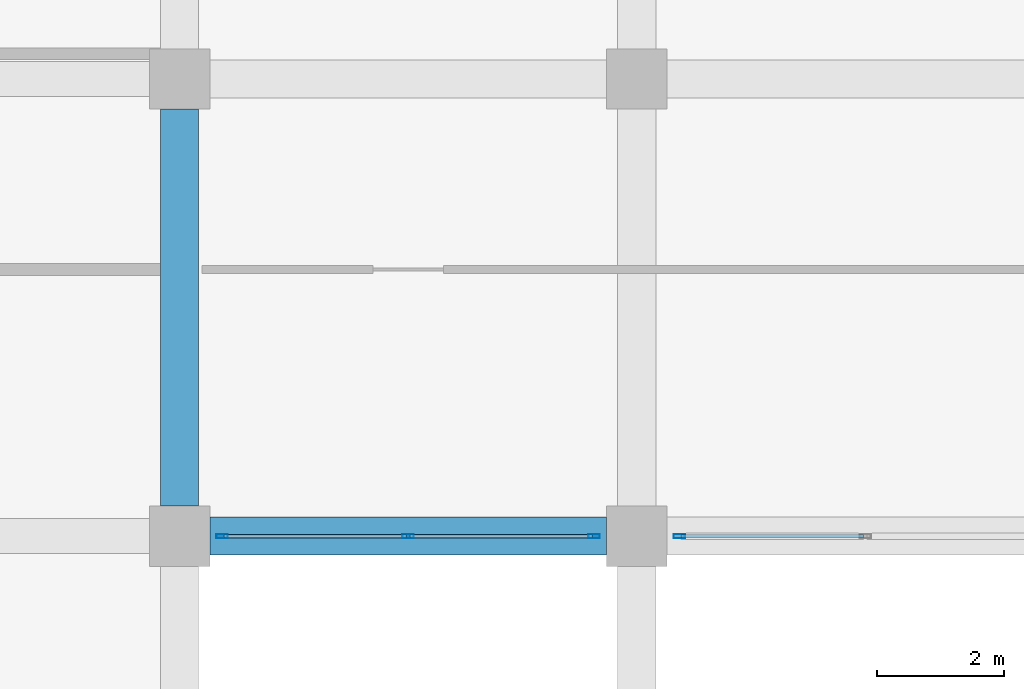
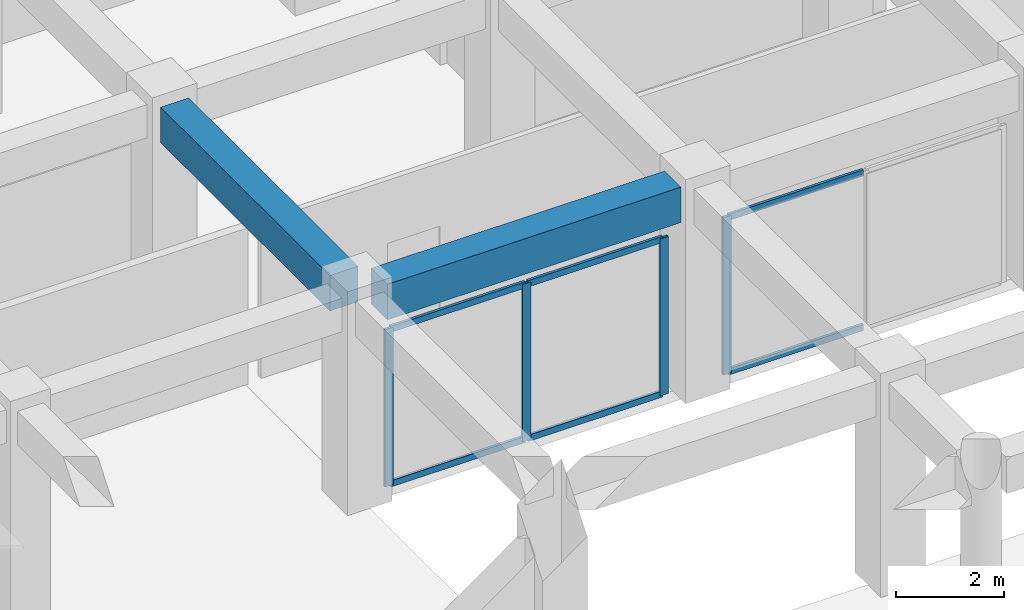
# One storey, part 4 of 54: 10 members, 2 beams, 2 elements without a shape of their own.
"""IFC4 building model written with IfcOpenShell, lengths in metres."""

import ifcopenshell
import ifcopenshell.guid

model = None  # the IFC model being written
_history = None  # IfcOwnerHistory: only IFC2X3 demands one
_inside = {}  # id of a spatial element -> (the spatial element, [elements in it])
_under = {}  # id of a project, library or spatial element -> (it, [spatial elements below it])
_declared = {}  # id of a project -> (the project, [libraries it declares])
_typed = {}  # id of a type object -> (the type object, [elements of that type])
_made_of = {}  # id of a material, layer set ... -> (it, [elements and type objects made of it])


def new_model(schema):
    """Start an empty IFC model of exactly this schema.

    Asked for "IFC4X3", IfcOpenShell would pick the latest addendum, in which some entities
    have other attributes; the version numbers below select the first issue.
    IFC2X3 requires an IfcOwnerHistory on every rooted entity: one is made here for all.
    """
    global model, _history
    if schema == "IFC4X3":
        model = ifcopenshell.file(schema_version=(4, 3, 0, 0))
    else:
        model = ifcopenshell.file(schema=schema)
    _inside.clear()
    _under.clear()
    _declared.clear()
    _typed.clear()
    _made_of.clear()
    _history = None
    if model.schema == "IFC2X3":
        org = make("IfcOrganization", Name="unknown")
        user = make(
            "IfcPersonAndOrganization",
            ThePerson=make("IfcPerson", FamilyName="unknown"),
            TheOrganization=org,
        )
        app = make(
            "IfcApplication",
            ApplicationDeveloper=org,
            Version="unknown",
            ApplicationFullName="unknown",
            ApplicationIdentifier="unknown",
        )
        _history = make(
            "IfcOwnerHistory",
            OwningUser=user,
            OwningApplication=app,
            ChangeAction="ADDED",
            CreationDate=0,
        )
    return model


def make(cls, **values):
    """One entity of the class cls with the attributes given. An attribute that is None is left unset."""
    return model.create_entity(
        cls, **{name: value for name, value in values.items() if value is not None}
    )


def rooted(cls, **values):
    """An entity with a GlobalId (a new one), such as an element, a storey or a relation."""
    return make(cls, GlobalId=ifcopenshell.guid.new(), OwnerHistory=_history, **values)


def si_unit(unit_type, name, prefix=None):
    """IfcSIUnit, for example si_unit("LENGTHUNIT", "METRE", prefix="MILLI")."""
    return make("IfcSIUnit", UnitType=unit_type, Prefix=prefix, Name=name)


def assignment(units):
    """IfcUnitAssignment: the units of a project."""
    return None if units is None else make("IfcUnitAssignment", Units=units)


def point(xyz):
    """IfcCartesianPoint."""
    return None if xyz is None else make("IfcCartesianPoint", Coordinates=xyz)


def direction(xyz):
    """IfcDirection."""
    return None if xyz is None else make("IfcDirection", DirectionRatios=xyz)


def frame(location, z_axis=None, x_axis=None):
    """IfcAxis2Placement3D, a coordinate frame: its origin and axes. An axis left out is left unset."""
    return make(
        "IfcAxis2Placement3D",
        Location=point(location),
        Axis=direction(z_axis),
        RefDirection=direction(x_axis),
    )


def frame_2d(location, x_axis=None):
    """IfcAxis2Placement2D, a coordinate frame in the plane: its origin and x axis."""
    return make(
        "IfcAxis2Placement2D", Location=point(location), RefDirection=direction(x_axis)
    )


def origin():
    """The frame at (0, 0, 0) with its axes left unset."""
    return frame((0.0, 0.0, 0.0))


def origin_2d():
    """The frame at (0, 0) in the plane with its x axis left unset."""
    return frame_2d((0.0, 0.0))


def place(relative_to, where):
    """IfcLocalPlacement: puts the frame where relative to a parent placement (None: the world)."""
    return make(
        "IfcLocalPlacement", PlacementRelTo=relative_to, RelativePlacement=where
    )


def context(
    kind, dimensions, precision=None, world=None, true_north=None, identifier=None
):
    """IfcGeometricRepresentationContext, for example the 3D "Model" context."""
    return make(
        "IfcGeometricRepresentationContext",
        ContextIdentifier=identifier,
        ContextType=kind,
        CoordinateSpaceDimension=dimensions,
        Precision=precision,
        WorldCoordinateSystem=world,
        TrueNorth=true_north,
    )


def subcontext(parent, identifier, kind, view, scale=None):
    """IfcGeometricRepresentationSubContext, for example "Body" below "Model"."""
    return make(
        "IfcGeometricRepresentationSubContext",
        ContextIdentifier=identifier,
        ContextType=kind,
        ParentContext=parent,
        TargetScale=scale,
        TargetView=view,
    )


def project(units=None, contexts=None):
    """IfcProject with its units and contexts."""
    return rooted(
        "IfcProject",
        Name="project",
        RepresentationContexts=contexts,
        UnitsInContext=assignment(units),
    )


def spatial(cls, under=None, at=None, **own):
    """A site, building, storey or space (cls), placed at a placement, below another one or the project."""
    s = rooted(cls, ObjectPlacement=at, **own)
    if under is not None:
        _under.setdefault(under.id(), (under, []))[1].append(s)
    return s


def profile(cls, at=None, kind="AREA", **sizes):
    """A parametric profile (cls). Its sizes go by their IFC names, for example OverallWidth=200.0."""
    return make(cls, ProfileType=kind, Position=at, **sizes)


def rectangle(**sizes):
    """IfcRectangleProfileDef."""
    return profile("IfcRectangleProfileDef", **sizes)


def hollow_rectangle(**sizes):
    """IfcRectangleHollowProfileDef."""
    return profile("IfcRectangleHollowProfileDef", **sizes)


def extrude(swept, where, along, depth):
    """IfcExtrudedAreaSolid: the profile swept, set in the frame where, extruded along a direction by depth."""
    return make(
        "IfcExtrudedAreaSolid",
        SweptArea=swept,
        Position=where,
        ExtrudedDirection=direction(along),
        Depth=depth,
    )


def shape(context_of_items, identifier, shape_type, items):
    """IfcShapeRepresentation: the items that make up one representation, for example the "Body"."""
    return make(
        "IfcShapeRepresentation",
        ContextOfItems=context_of_items,
        RepresentationIdentifier=identifier,
        RepresentationType=shape_type,
        Items=items,
    )


def material(Name=None, Category=None):
    """IfcMaterial."""
    return make("IfcMaterial", Name=Name, Category=Category)


def material_profile(
    of_material, cross_section, Name=None, Category=None, Priority=None
):
    """IfcMaterialProfile: a cross section and its material."""
    return make(
        "IfcMaterialProfile",
        Name=Name,
        Material=of_material,
        Profile=cross_section,
        Priority=Priority,
        Category=Category,
    )


def profile_set(profiles, Name=None, composite=None):
    """IfcMaterialProfileSet."""
    return make(
        "IfcMaterialProfileSet",
        Name=Name,
        MaterialProfiles=profiles,
        CompositeProfile=composite,
    )


def made_of(thing, what):
    """Note that an element or type object is made of a material, layer set ...; save() writes the relation."""
    if what is not None:
        _made_of.setdefault(what.id(), (what, []))[1].append(thing)
    return thing


def type_object(cls, material=None, **own):
    """A type object (cls), such as IfcWallType, which elements share."""
    return made_of(rooted(cls, **own), material)


def element(
    cls,
    number,
    at=None,
    inside=None,
    cuts=None,
    type_object=None,
    material=None,
    context=None,
    identifier="Body",
    shape_type=None,
    held_by="IfcProductDefinitionShape",
    body=None,
    shapes=None,
    **own,
):
    """One element of the class cls, such as IfcWall. Its Tag is "e" and its number.

    at: its placement. inside: the storey or other place that contains it. cuts: it is an
    opening in that element (IfcRelVoidsElement). A single representation is given by context,
    identifier, shape_type and body (its items); several are given by shapes. held_by: the class
    of the entity that holds the representations. save() writes the other relations.
    """
    e = rooted(cls, Tag="e%d" % number, ObjectPlacement=at, **own)
    if body is not None:
        shapes = [shape(context, identifier, shape_type, body)]
    if shapes is not None:
        e.Representation = make(held_by, Representations=shapes)
    if inside is not None:
        _inside.setdefault(inside.id(), (inside, []))[1].append(e)
    if cuts is not None:
        rooted(
            "IfcRelVoidsElement", RelatingBuildingElement=cuts, RelatedOpeningElement=e
        )
    if type_object is not None:
        _typed.setdefault(type_object.id(), (type_object, []))[1].append(e)
    return made_of(e, material)


def aggregate(whole, parts):
    """IfcRelAggregates: a whole, such as a stair, and the parts it consists of."""
    return rooted("IfcRelAggregates", RelatingObject=whole, RelatedObjects=parts)


def save(model, path):
    """Write the relations noted so far, then the file.

    IfcRelAggregates (storeys below a building ...), IfcRelContainedInSpatialStructure (elements
    in a storey), IfcRelDefinesByType, IfcRelAssociatesMaterial and IfcRelDeclares: one each for
    every whole, place, type object, material and project.
    """
    for whole, parts in _under.values():
        aggregate(whole, parts)
    for where, things in _inside.values():
        rooted(
            "IfcRelContainedInSpatialStructure",
            RelatedElements=things,
            RelatingStructure=where,
        )
    for kind, things in _typed.values():
        rooted("IfcRelDefinesByType", RelatedObjects=things, RelatingType=kind)
    for what, things in _made_of.values():
        rooted("IfcRelAssociatesMaterial", RelatedObjects=things, RelatingMaterial=what)
    for by, libraries in _declared.values():
        rooted("IfcRelDeclares", RelatingContext=by, RelatedDefinitions=libraries)
    model.write(path)


model = new_model("IFC4")

# Units and contexts
model_context = context("Model", 3, precision=1e-05, world=origin(), true_north=direction((0.0, 1.0)))
body_context = subcontext(model_context, "Body", "Model", "MODEL_VIEW")
ifc_project = project(units=[si_unit("LENGTHUNIT", "METRE"), si_unit("AREAUNIT", "SQUARE_METRE"), si_unit("VOLUMEUNIT", "CUBIC_METRE"), si_unit("PLANEANGLEUNIT", "RADIAN"), si_unit("MASSUNIT", "GRAM", prefix="KILO")], contexts=[model_context])

# Site, building, storey
site_placement = place(None, origin())
site = spatial("IfcSite", under=ifc_project, at=site_placement, CompositionType="ELEMENT")
building_placement = place(site_placement, origin())
building = spatial("IfcBuilding", under=site, at=building_placement, Name="Kazehaya Institute of Natural Sciences", CompositionType="ELEMENT")
storey_placement = place(building_placement, frame((0.0, 0.0, 5.39990234375)))
storey = spatial("IfcBuildingStorey", under=building, at=storey_placement, Name="L01", CompositionType="ELEMENT", Elevation=5.39990234375)

# Beams
ifc_material_1 = material(Name="Concrete Fc36", Category="concrete")
ifc_material_profile_1 = material_profile(ifc_material_1, rectangle(XDim=0.60009765625, YDim=0.800048828125, at=origin_2d()), Name="RC-600x800")
ifc_profile_set_1 = profile_set([ifc_material_profile_1], Name="Concrete Fc36")
beam_type = type_object("IfcBeamType", Name="BM-G-600x800", PredefinedType="BEAM", material=ifc_profile_set_1)
for number, where, z_axis, x_axis, name in (
    (1, (55.074951171875, 14.0, 4.3701171875), (1.0, 0.0, 0.0), (0.0, 1.0, 0.0), "L01 primary X girder BMX-L01-546-140"),
    (2, (54.60009765625, 14.47509765625, 4.3701171875), (0.0, 1.0, 0.0), (-1.0, 0.0, 0.0), "L01 primary Y girder BMY-L01-546-140"),
):
    element("IfcBeam", number, at=place(storey_placement, frame(where, z_axis=z_axis, x_axis=x_axis)), inside=storey, type_object=beam_type, Name=name, PredefinedType="BEAM", context=body_context, shape_type="SweptSolid", body=[
        extrude(rectangle(XDim=0.60009765625, YDim=0.800048828125, at=origin_2d()), origin(), (0.0, 0.0, 1.0), 6.25),
    ])

# Curtain wall, member
ifc_material_2 = material(Name="Aluminium alloy A6063S-T5", Category="aluminium")
curtain_wall_type = type_object("IfcCurtainWallType", Name="CW-SYS-02", PredefinedType="NOTDEFINED", material=ifc_material_2)
curtain_wall_1_placement = place(storey_placement, origin())
curtain_wall_1 = element("IfcCurtainWall", 3, at=curtain_wall_1_placement, inside=storey, type_object=curtain_wall_type, Name="L01 unitised curtain wall CW-L01-046", PredefinedType="NOTDEFINED")
ifc_material_profile_2 = material_profile(ifc_material_2, hollow_rectangle(XDim=0.06005859375, YDim=0.179931640625, WallThickness=0.00390625, at=origin_2d()), Name="ALU-60x180x4")
ifc_profile_set_2 = profile_set([ifc_material_profile_2], Name="Aluminium alloy A6063S-T5")
member_type_1 = type_object("IfcMemberType", Name="CWM-180", PredefinedType="MULLION", material=ifc_profile_set_2)
member_1_placement = place(storey_placement, frame((62.469970703125, 14.0, 0.0), z_axis=(0.0, 0.0, 1.0), x_axis=(0.0, -1.0, 0.0)))
member_1 = element("IfcMember", 4, at=member_1_placement, type_object=member_type_1, Name="CW02 mullion 3", PredefinedType="MULLION", context=body_context, shape_type="SweptSolid", body=[
    extrude(hollow_rectangle(XDim=0.06005859375, YDim=0.179931640625, WallThickness=0.00390625, at=origin_2d()), origin(), (0.0, 0.0, 1.0), 3.5400390625),
])

# Curtain wall, members
curtain_wall_2_placement = place(storey_placement, origin())
curtain_wall_2 = element("IfcCurtainWall", 5, at=curtain_wall_2_placement, inside=storey, type_object=curtain_wall_type, Name="L01 unitised curtain wall CW-L01-047", PredefinedType="NOTDEFINED")
member_2_placement = place(storey_placement, frame((61.1298828125, 14.0, 0.0), z_axis=(0.0, 0.0, 1.0), x_axis=(0.0, -1.0, 0.0)))
member_2 = element("IfcMember", 6, at=member_2_placement, type_object=member_type_1, Name="CW02 mullion 1", PredefinedType="MULLION", context=body_context, shape_type="SweptSolid", body=[
    extrude(hollow_rectangle(XDim=0.06005859375, YDim=0.179931640625, WallThickness=0.00390625, at=origin_2d()), origin(), (0.0, 0.0, 1.0), 3.5400390625),
])
member_3_placement = place(storey_placement, frame((58.199951171875, 14.0, 0.0), z_axis=(0.0, 0.0, 1.0), x_axis=(0.0, -1.0, 0.0)))
member_3 = element("IfcMember", 7, at=member_3_placement, type_object=member_type_1, Name="CW02 mullion 2", PredefinedType="MULLION", context=body_context, shape_type="SweptSolid", body=[
    extrude(hollow_rectangle(XDim=0.06005859375, YDim=0.179931640625, WallThickness=0.00390625, at=origin_2d()), origin(), (0.0, 0.0, 1.0), 3.5400390625),
])
member_4_placement = place(storey_placement, frame((55.27001953125, 14.0, 0.0), z_axis=(0.0, 0.0, 1.0), x_axis=(0.0, -1.0, 0.0)))
member_4 = element("IfcMember", 8, at=member_4_placement, type_object=member_type_1, Name="CW02 mullion 3", PredefinedType="MULLION", context=body_context, shape_type="SweptSolid", body=[
    extrude(hollow_rectangle(XDim=0.06005859375, YDim=0.179931640625, WallThickness=0.00390625, at=origin_2d()), origin(), (0.0, 0.0, 1.0), 3.5400390625),
])

# Member
ifc_material_profile_3 = material_profile(ifc_material_2, hollow_rectangle(XDim=0.06005859375, YDim=0.139892578125, WallThickness=0.00341796875, at=origin_2d()), Name="ALU-60x140x3.5")
ifc_profile_set_3 = profile_set([ifc_material_profile_3], Name="Aluminium alloy A6063S-T5")
member_type_2 = type_object("IfcMemberType", Name="CWT-140", PredefinedType="USERDEFINED", material=ifc_profile_set_3)
member_5_placement = place(storey_placement, frame((65.3701171875, 14.0, 0.030029296875), z_axis=(-1.0, 0.0, 0.0), x_axis=(0.0, -1.0, 0.0)))
member_5 = element("IfcMember", 9, at=member_5_placement, type_object=member_type_2, Name="CW02 transom 2.1", ObjectType="TRANSOM", PredefinedType="USERDEFINED", context=body_context, shape_type="SweptSolid", body=[
    extrude(hollow_rectangle(XDim=0.06005859375, YDim=0.139892578125, WallThickness=0.00341796875, at=origin_2d()), origin(), (0.0, 0.0, 1.0), 2.8701171875),
])

member_6_placement = place(storey_placement, frame((65.3701171875, 14.0, 3.510009765625), z_axis=(-1.0, 0.0, 0.0), x_axis=(0.0, -1.0, 0.0)))
member_6 = element("IfcMember", 10, at=member_6_placement, type_object=member_type_2, Name="CW02 transom 2.2", ObjectType="TRANSOM", PredefinedType="USERDEFINED", context=body_context, shape_type="SweptSolid", body=[
    extrude(hollow_rectangle(XDim=0.06005859375, YDim=0.139892578125, WallThickness=0.00341796875, at=origin_2d()), origin(), (0.0, 0.0, 1.0), 2.8701171875),
])

aggregate(curtain_wall_1, [member_1, member_5, member_6])

member_7_placement = place(storey_placement, frame((61.10009765625, 14.0, 0.030029296875), z_axis=(-1.0, 0.0, 0.0), x_axis=(0.0, -1.0, 0.0)))
member_7 = element("IfcMember", 11, at=member_7_placement, type_object=member_type_2, Name="CW02 transom 1.1", ObjectType="TRANSOM", PredefinedType="USERDEFINED", context=body_context, shape_type="SweptSolid", body=[
    extrude(hollow_rectangle(XDim=0.06005859375, YDim=0.139892578125, WallThickness=0.00341796875, at=origin_2d()), origin(), (0.0, 0.0, 1.0), 2.8701171875),
])

member_8_placement = place(storey_placement, frame((61.10009765625, 14.0, 3.510009765625), z_axis=(-1.0, 0.0, 0.0), x_axis=(0.0, -1.0, 0.0)))
member_8 = element("IfcMember", 12, at=member_8_placement, type_object=member_type_2, Name="CW02 transom 1.2", ObjectType="TRANSOM", PredefinedType="USERDEFINED", context=body_context, shape_type="SweptSolid", body=[
    extrude(hollow_rectangle(XDim=0.06005859375, YDim=0.139892578125, WallThickness=0.00341796875, at=origin_2d()), origin(), (0.0, 0.0, 1.0), 2.8701171875),
])

member_9_placement = place(storey_placement, frame((58.169921875, 14.0, 0.030029296875), z_axis=(-1.0, 0.0, 0.0), x_axis=(0.0, -1.0, 0.0)))
member_9 = element("IfcMember", 13, at=member_9_placement, type_object=member_type_2, Name="CW02 transom 2.1", ObjectType="TRANSOM", PredefinedType="USERDEFINED", context=body_context, shape_type="SweptSolid", body=[
    extrude(hollow_rectangle(XDim=0.06005859375, YDim=0.139892578125, WallThickness=0.00341796875, at=origin_2d()), origin(), (0.0, 0.0, 1.0), 2.869873046875),
])

member_10_placement = place(storey_placement, frame((58.169921875, 14.0, 3.510009765625), z_axis=(-1.0, 0.0, 0.0), x_axis=(0.0, -1.0, 0.0)))
member_10 = element("IfcMember", 14, at=member_10_placement, type_object=member_type_2, Name="CW02 transom 2.2", ObjectType="TRANSOM", PredefinedType="USERDEFINED", context=body_context, shape_type="SweptSolid", body=[
    extrude(hollow_rectangle(XDim=0.06005859375, YDim=0.139892578125, WallThickness=0.00341796875, at=origin_2d()), origin(), (0.0, 0.0, 1.0), 2.869873046875),
])

aggregate(curtain_wall_2, [member_2, member_3, member_4, member_7, member_8, member_9, member_10])

save(model, "model.ifc")
